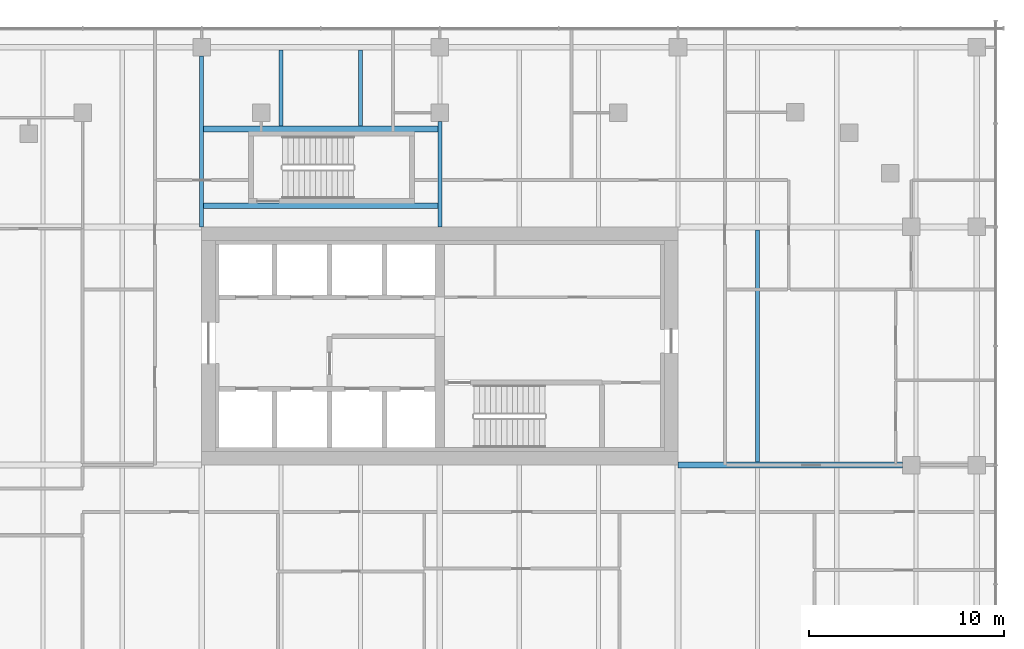
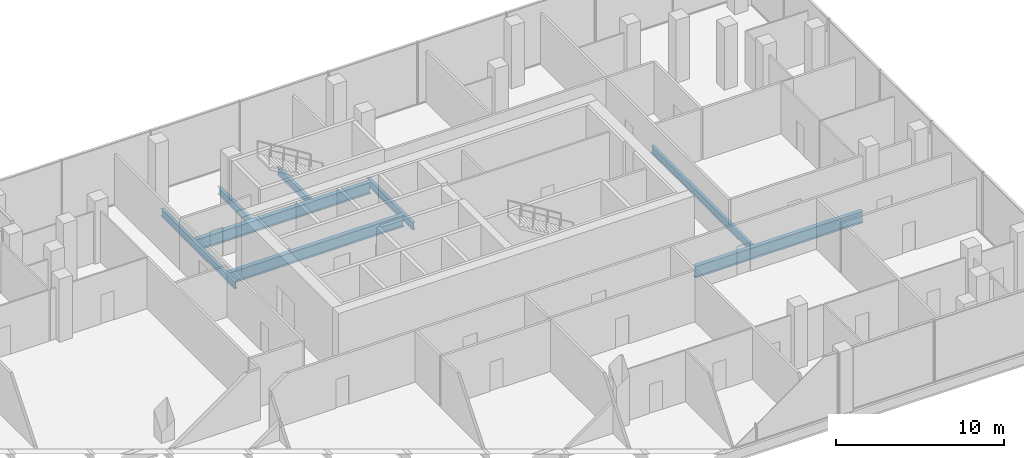
# One storey, part 12 of 33: 8 beams.
"""IFC4 building model written with IfcOpenShell, lengths in metres."""

import ifcopenshell
import ifcopenshell.guid

model = None  # the IFC model being written
_history = None  # IfcOwnerHistory: only IFC2X3 demands one
_inside = {}  # id of a spatial element -> (the spatial element, [elements in it])
_under = {}  # id of a project, library or spatial element -> (it, [spatial elements below it])
_declared = {}  # id of a project -> (the project, [libraries it declares])
_typed = {}  # id of a type object -> (the type object, [elements of that type])
_made_of = {}  # id of a material, layer set ... -> (it, [elements and type objects made of it])


def new_model(schema):
    """Start an empty IFC model of exactly this schema.

    Asked for "IFC4X3", IfcOpenShell would pick the latest addendum, in which some entities
    have other attributes; the version numbers below select the first issue.
    IFC2X3 requires an IfcOwnerHistory on every rooted entity: one is made here for all.
    """
    global model, _history
    if schema == "IFC4X3":
        model = ifcopenshell.file(schema_version=(4, 3, 0, 0))
    else:
        model = ifcopenshell.file(schema=schema)
    _inside.clear()
    _under.clear()
    _declared.clear()
    _typed.clear()
    _made_of.clear()
    _history = None
    if model.schema == "IFC2X3":
        org = make("IfcOrganization", Name="unknown")
        user = make(
            "IfcPersonAndOrganization",
            ThePerson=make("IfcPerson", FamilyName="unknown"),
            TheOrganization=org,
        )
        app = make(
            "IfcApplication",
            ApplicationDeveloper=org,
            Version="unknown",
            ApplicationFullName="unknown",
            ApplicationIdentifier="unknown",
        )
        _history = make(
            "IfcOwnerHistory",
            OwningUser=user,
            OwningApplication=app,
            ChangeAction="ADDED",
            CreationDate=0,
        )
    return model


def make(cls, **values):
    """One entity of the class cls with the attributes given. An attribute that is None is left unset."""
    return model.create_entity(
        cls, **{name: value for name, value in values.items() if value is not None}
    )


def rooted(cls, **values):
    """An entity with a GlobalId (a new one), such as an element, a storey or a relation."""
    return make(cls, GlobalId=ifcopenshell.guid.new(), OwnerHistory=_history, **values)


def si_unit(unit_type, name, prefix=None):
    """IfcSIUnit, for example si_unit("LENGTHUNIT", "METRE", prefix="MILLI")."""
    return make("IfcSIUnit", UnitType=unit_type, Prefix=prefix, Name=name)


def assignment(units):
    """IfcUnitAssignment: the units of a project."""
    return None if units is None else make("IfcUnitAssignment", Units=units)


def point(xyz):
    """IfcCartesianPoint."""
    return None if xyz is None else make("IfcCartesianPoint", Coordinates=xyz)


def direction(xyz):
    """IfcDirection."""
    return None if xyz is None else make("IfcDirection", DirectionRatios=xyz)


def frame(location, z_axis=None, x_axis=None):
    """IfcAxis2Placement3D, a coordinate frame: its origin and axes. An axis left out is left unset."""
    return make(
        "IfcAxis2Placement3D",
        Location=point(location),
        Axis=direction(z_axis),
        RefDirection=direction(x_axis),
    )


def frame_2d(location, x_axis=None):
    """IfcAxis2Placement2D, a coordinate frame in the plane: its origin and x axis."""
    return make(
        "IfcAxis2Placement2D", Location=point(location), RefDirection=direction(x_axis)
    )


def origin():
    """The frame at (0, 0, 0) with its axes left unset."""
    return frame((0.0, 0.0, 0.0))


def origin_2d():
    """The frame at (0, 0) in the plane with its x axis left unset."""
    return frame_2d((0.0, 0.0))


def place(relative_to, where):
    """IfcLocalPlacement: puts the frame where relative to a parent placement (None: the world)."""
    return make(
        "IfcLocalPlacement", PlacementRelTo=relative_to, RelativePlacement=where
    )


def context(
    kind, dimensions, precision=None, world=None, true_north=None, identifier=None
):
    """IfcGeometricRepresentationContext, for example the 3D "Model" context."""
    return make(
        "IfcGeometricRepresentationContext",
        ContextIdentifier=identifier,
        ContextType=kind,
        CoordinateSpaceDimension=dimensions,
        Precision=precision,
        WorldCoordinateSystem=world,
        TrueNorth=true_north,
    )


def subcontext(parent, identifier, kind, view, scale=None):
    """IfcGeometricRepresentationSubContext, for example "Body" below "Model"."""
    return make(
        "IfcGeometricRepresentationSubContext",
        ContextIdentifier=identifier,
        ContextType=kind,
        ParentContext=parent,
        TargetScale=scale,
        TargetView=view,
    )


def project(units=None, contexts=None):
    """IfcProject with its units and contexts."""
    return rooted(
        "IfcProject",
        Name="project",
        RepresentationContexts=contexts,
        UnitsInContext=assignment(units),
    )


def spatial(cls, under=None, at=None, **own):
    """A site, building, storey or space (cls), placed at a placement, below another one or the project."""
    s = rooted(cls, ObjectPlacement=at, **own)
    if under is not None:
        _under.setdefault(under.id(), (under, []))[1].append(s)
    return s


def profile(cls, at=None, kind="AREA", **sizes):
    """A parametric profile (cls). Its sizes go by their IFC names, for example OverallWidth=200.0."""
    return make(cls, ProfileType=kind, Position=at, **sizes)


def i_section(**sizes):
    """IfcIShapeProfileDef."""
    return profile("IfcIShapeProfileDef", **sizes)


def extrude(swept, where, along, depth):
    """IfcExtrudedAreaSolid: the profile swept, set in the frame where, extruded along a direction by depth."""
    return make(
        "IfcExtrudedAreaSolid",
        SweptArea=swept,
        Position=where,
        ExtrudedDirection=direction(along),
        Depth=depth,
    )


def shape(context_of_items, identifier, shape_type, items):
    """IfcShapeRepresentation: the items that make up one representation, for example the "Body"."""
    return make(
        "IfcShapeRepresentation",
        ContextOfItems=context_of_items,
        RepresentationIdentifier=identifier,
        RepresentationType=shape_type,
        Items=items,
    )


def material(Name=None, Category=None):
    """IfcMaterial."""
    return make("IfcMaterial", Name=Name, Category=Category)


def material_profile(
    of_material, cross_section, Name=None, Category=None, Priority=None
):
    """IfcMaterialProfile: a cross section and its material."""
    return make(
        "IfcMaterialProfile",
        Name=Name,
        Material=of_material,
        Profile=cross_section,
        Priority=Priority,
        Category=Category,
    )


def profile_set(profiles, Name=None, composite=None):
    """IfcMaterialProfileSet."""
    return make(
        "IfcMaterialProfileSet",
        Name=Name,
        MaterialProfiles=profiles,
        CompositeProfile=composite,
    )


def made_of(thing, what):
    """Note that an element or type object is made of a material, layer set ...; save() writes the relation."""
    if what is not None:
        _made_of.setdefault(what.id(), (what, []))[1].append(thing)
    return thing


def type_object(cls, material=None, **own):
    """A type object (cls), such as IfcWallType, which elements share."""
    return made_of(rooted(cls, **own), material)


def element(
    cls,
    number,
    at=None,
    inside=None,
    cuts=None,
    type_object=None,
    material=None,
    context=None,
    identifier="Body",
    shape_type=None,
    held_by="IfcProductDefinitionShape",
    body=None,
    shapes=None,
    **own,
):
    """One element of the class cls, such as IfcWall. Its Tag is "e" and its number.

    at: its placement. inside: the storey or other place that contains it. cuts: it is an
    opening in that element (IfcRelVoidsElement). A single representation is given by context,
    identifier, shape_type and body (its items); several are given by shapes. held_by: the class
    of the entity that holds the representations. save() writes the other relations.
    """
    e = rooted(cls, Tag="e%d" % number, ObjectPlacement=at, **own)
    if body is not None:
        shapes = [shape(context, identifier, shape_type, body)]
    if shapes is not None:
        e.Representation = make(held_by, Representations=shapes)
    if inside is not None:
        _inside.setdefault(inside.id(), (inside, []))[1].append(e)
    if cuts is not None:
        rooted(
            "IfcRelVoidsElement", RelatingBuildingElement=cuts, RelatedOpeningElement=e
        )
    if type_object is not None:
        _typed.setdefault(type_object.id(), (type_object, []))[1].append(e)
    return made_of(e, material)


def aggregate(whole, parts):
    """IfcRelAggregates: a whole, such as a stair, and the parts it consists of."""
    return rooted("IfcRelAggregates", RelatingObject=whole, RelatedObjects=parts)


def save(model, path):
    """Write the relations noted so far, then the file.

    IfcRelAggregates (storeys below a building ...), IfcRelContainedInSpatialStructure (elements
    in a storey), IfcRelDefinesByType, IfcRelAssociatesMaterial and IfcRelDeclares: one each for
    every whole, place, type object, material and project.
    """
    for whole, parts in _under.values():
        aggregate(whole, parts)
    for where, things in _inside.values():
        rooted(
            "IfcRelContainedInSpatialStructure",
            RelatedElements=things,
            RelatingStructure=where,
        )
    for kind, things in _typed.values():
        rooted("IfcRelDefinesByType", RelatedObjects=things, RelatingType=kind)
    for what, things in _made_of.values():
        rooted("IfcRelAssociatesMaterial", RelatedObjects=things, RelatingMaterial=what)
    for by, libraries in _declared.values():
        rooted("IfcRelDeclares", RelatingContext=by, RelatedDefinitions=libraries)
    model.write(path)


model = new_model("IFC4")

# Units and contexts
model_context = context("Model", 3, precision=1e-05, world=origin(), true_north=direction((0.0, 1.0)))
body_context = subcontext(model_context, "Body", "Model", "MODEL_VIEW")
ifc_project = project(units=[si_unit("LENGTHUNIT", "METRE"), si_unit("AREAUNIT", "SQUARE_METRE"), si_unit("VOLUMEUNIT", "CUBIC_METRE"), si_unit("PLANEANGLEUNIT", "RADIAN"), si_unit("MASSUNIT", "GRAM", prefix="KILO")], contexts=[model_context])

# Site, building, storey
site_placement = place(None, origin())
site = spatial("IfcSite", under=ifc_project, at=site_placement, CompositionType="ELEMENT")
building_placement = place(site_placement, origin())
building = spatial("IfcBuilding", under=site, at=building_placement, Name="Tessera Gate Towers", CompositionType="ELEMENT")
storey_placement = place(building_placement, frame((0.0, 0.0, 7.199951171875)))
storey = spatial("IfcBuildingStorey", under=building, at=storey_placement, Name="L01", CompositionType="ELEMENT", Elevation=7.199951171875)

# Beams
ifc_material_1 = material(Name="Steel 350W", Category="steel")
ifc_material_profile_1 = material_profile(ifc_material_1, i_section(OverallWidth=0.2919921875, OverallDepth=0.8349609375, WebThickness=0.013916015625, FlangeThickness=0.018798828125, at=origin_2d()), Name="W840x176")
ifc_profile_set_1 = profile_set([ifc_material_profile_1], Name="Steel 350W")
beam_type_1 = type_object("IfcBeamType", Name="FLOOR GIRDER W840x176", PredefinedType="BEAM", material=ifc_profile_set_1)
beam_1_placement = place(storey_placement, frame((122.0009765625, 36.60009765625, -0.66748046875), z_axis=(1.0, 0.0, 0.0), x_axis=(0.0, 1.0, 0.0)))
element("IfcBeam", 1, at=beam_1_placement, inside=storey, type_object=beam_type_1, Name="PD-GD-L01-218", PredefinedType="BEAM", context=body_context, shape_type="SweptSolid", body=[
    extrude(i_section(OverallWidth=0.2919921875, OverallDepth=0.8349609375, WebThickness=0.013916015625, FlangeThickness=0.018798828125, at=origin_2d()), origin(), (0.0, 0.0, 1.0), 11.4990234375),
])
for number, where, z_axis, x_axis, name in (
    (2, (97.70458984375, 49.8798828125, -0.66748046875), (1.0, 0.0, 0.0), (0.0, 1.0, 0.0), "PD-GD-L01-266"),
    (3, (97.70458984375, 53.820068359375, -0.66748046875), (1.0, 0.0, 0.0), (0.0, 1.0, 0.0), "PD-GD-L01-267"),
):
    element("IfcBeam", number, at=place(storey_placement, frame(where, z_axis=z_axis, x_axis=x_axis)), inside=storey, type_object=beam_type_1, Name=name, PredefinedType="BEAM", context=body_context, shape_type="SweptSolid", body=[
        extrude(i_section(OverallWidth=0.2919921875, OverallDepth=0.8349609375, WebThickness=0.013916015625, FlangeThickness=0.018798828125, at=origin_2d()), origin(), (0.0, 0.0, 1.0), 11.990966796875),
    ])
ifc_material_2 = material(Name="Steel 350W", Category="steel")
ifc_material_profile_2 = material_profile(ifc_material_2, i_section(OverallWidth=0.208984375, OverallDepth=0.528076171875, WebThickness=0.009521484375, FlangeThickness=0.01318359375, at=origin_2d()), Name="W530x82")
ifc_profile_set_2 = profile_set([ifc_material_profile_2], Name="Steel 350W")
beam_type_2 = type_object("IfcBeamType", Name="FLOOR SECONDARY W530x82", PredefinedType="BEAM", material=ifc_profile_set_2)
beam_2_placement = place(storey_placement, frame((97.60009765625, 48.800048828125, -0.513916015625), z_axis=(0.0, 1.0, 0.0), x_axis=(-1.0, 0.0, 0.0)))
element("IfcBeam", 4, at=beam_2_placement, inside=storey, type_object=beam_type_2, Name="PD-BM-L01-329", PredefinedType="BEAM", context=body_context, shape_type="SweptSolid", body=[
    extrude(i_section(OverallWidth=0.208984375, OverallDepth=0.528076171875, WebThickness=0.009521484375, FlangeThickness=0.01318359375, at=origin_2d()), origin(), (0.0, 0.0, 1.0), 8.75),
])
for number, where, z_axis, x_axis, name in (
    (5, (101.666748046875, 53.966064453125, -0.513916015625), (0.0, 1.0, 0.0), (-1.0, 0.0, 0.0), "PD-BM-L01-332"),
    (6, (105.7333984375, 53.966064453125, -0.513916015625), (0.0, 1.0, 0.0), (-1.0, 0.0, 0.0), "PD-BM-L01-335"),
):
    element("IfcBeam", number, at=place(storey_placement, frame(where, z_axis=z_axis, x_axis=x_axis)), inside=storey, type_object=beam_type_2, Name=name, PredefinedType="BEAM", context=body_context, shape_type="SweptSolid", body=[
        extrude(i_section(OverallWidth=0.208984375, OverallDepth=0.528076171875, WebThickness=0.009521484375, FlangeThickness=0.01318359375, at=origin_2d()), origin(), (0.0, 0.0, 1.0), 3.887939453125),
    ])
beam_3_placement = place(storey_placement, frame((109.800048828125, 48.800048828125, -0.513916015625), z_axis=(0.0, 1.0, 0.0), x_axis=(-1.0, 0.0, 0.0)))
element("IfcBeam", 7, at=beam_3_placement, inside=storey, type_object=beam_type_2, Name="PD-BM-L01-336", PredefinedType="BEAM", context=body_context, shape_type="SweptSolid", body=[
    extrude(i_section(OverallWidth=0.208984375, OverallDepth=0.528076171875, WebThickness=0.009521484375, FlangeThickness=0.01318359375, at=origin_2d()), origin(), (0.0, 0.0, 1.0), 5.39990234375),
])
beam_4_placement = place(storey_placement, frame((126.066650390625, 36.74609375, -0.513916015625), z_axis=(0.0, 1.0, 0.0), x_axis=(-1.0, 0.0, 0.0)))
element("IfcBeam", 8, at=beam_4_placement, inside=storey, type_object=beam_type_2, Name="PD-BM-L01-347", PredefinedType="BEAM", context=body_context, shape_type="SweptSolid", body=[
    extrude(i_section(OverallWidth=0.208984375, OverallDepth=0.528076171875, WebThickness=0.009521484375, FlangeThickness=0.01318359375, at=origin_2d()), origin(), (0.0, 0.0, 1.0), 11.907958984375),
])

save(model, "model.ifc")
